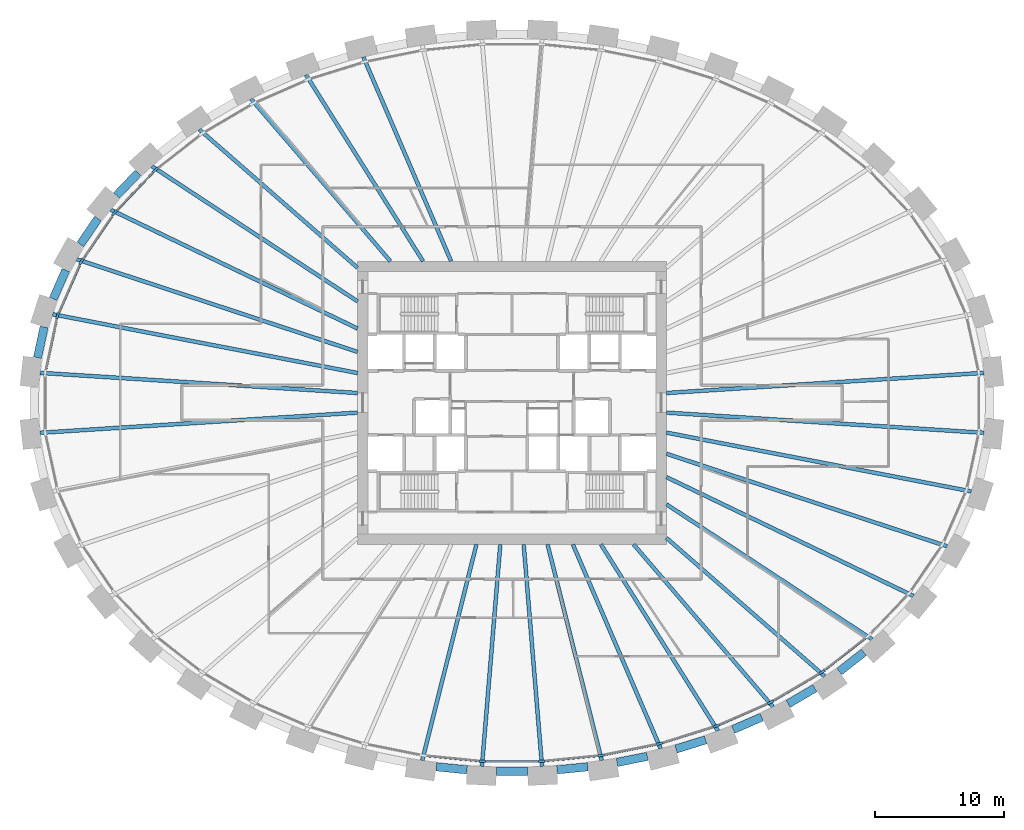
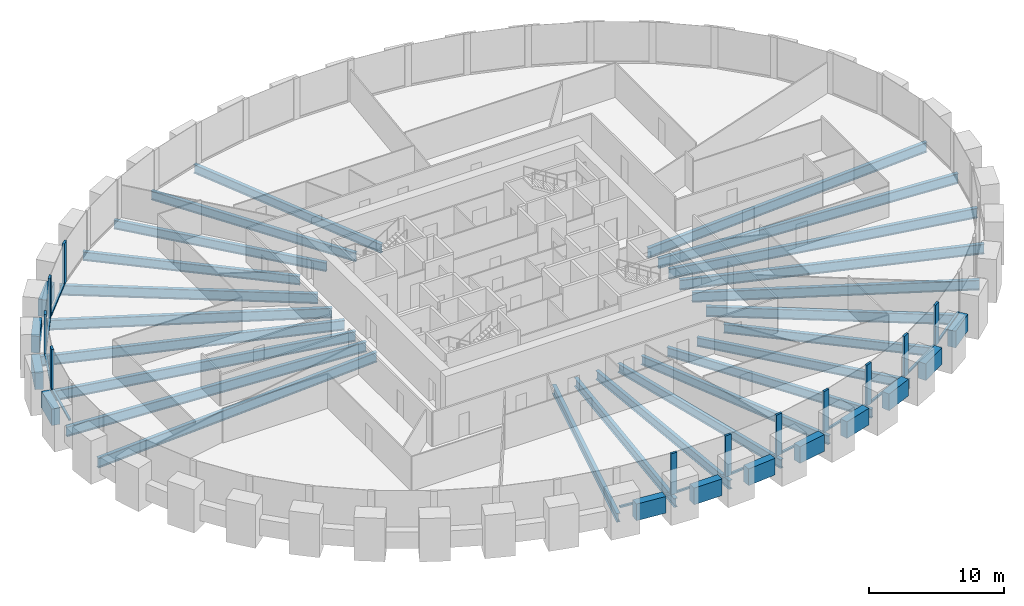
# One storey, part 2 of 10: 36 beams, 23 members, 1 element without a shape of its own.
"""IFC4 building model written with IfcOpenShell, lengths in metres."""

from ifc_helpers import new_model, si_unit, direction, frame, origin, origin_2d, place, context, subcontext, project, spatial, rectangle, i_section, extrude, source, transform, mapped, material, material_profile, profile_set, type_object, element, aggregate, save


model = new_model("IFC4")

# Units and contexts
model_context = context("Model", 3, precision=1e-05, world=origin(), true_north=direction((0.0, 1.0)))
body_context = subcontext(model_context, "Body", "Model", "MODEL_VIEW")
ifc_project = project(units=[si_unit("LENGTHUNIT", "METRE"), si_unit("AREAUNIT", "SQUARE_METRE"), si_unit("VOLUMEUNIT", "CUBIC_METRE"), si_unit("PLANEANGLEUNIT", "RADIAN"), si_unit("MASSUNIT", "GRAM", prefix="KILO")], contexts=[model_context])

# Site, building, storey
site_placement = place(None, origin())
site = spatial("IfcSite", under=ifc_project, at=site_placement, CompositionType="ELEMENT")
building_placement = place(site_placement, origin())
building = spatial("IfcBuilding", under=site, at=building_placement, Name="Embergate Tower", CompositionType="ELEMENT")
storey_placement = place(building_placement, frame((0.0, 0.0, 167.699951171875)))
storey = spatial("IfcBuildingStorey", under=building, at=storey_placement, Name="L37", CompositionType="ELEMENT", Elevation=167.699951171875)

# Beams
ifc_material_1 = material(Name="Concrete C70", Category="concrete")
ifc_material_profile_1 = material_profile(ifc_material_1, rectangle(XDim=0.64990234375, YDim=1.5, at=origin_2d()), Name="RC 650x1500")
ifc_profile_set_1 = profile_set([ifc_material_profile_1], Name="Concrete C70")
beam_type_1 = type_object("IfcBeamType", Name="Spandrel beam RC 650x1500 C70", PredefinedType="BEAM", material=ifc_profile_set_1)
shared_shape_1 = source(origin(), body_context, "Body", "SweptSolid", [
    extrude(rectangle(XDim=0.64990234375, YDim=1.5, at=origin_2d()), origin(), (0.0, 0.0, 1.0), 2.439697265625),
])
beam_1_placement = place(storey_placement, frame((-36.35693359375, 5.89306640625, 0.0), z_axis=(-0.210738503873, -0.977542471193, 0.0), x_axis=(0.977542471193, -0.210738503873, 0.0)))
element("IfcBeam", 1, at=beam_1_placement, inside=storey, type_object=beam_type_1, Name="SPN-L37-20", PredefinedType="BEAM", context=body_context, shape_type="MappedRepresentation", body=[
    mapped(shared_shape_1, transform((0.0, 0.0, 0.0))),
])
shared_shape_2 = source(origin(), body_context, "Body", "SweptSolid", [
    extrude(rectangle(XDim=0.64990234375, YDim=1.5, at=origin_2d()), origin(), (0.0, 0.0, 1.0), 2.436279296875),
])
beam_2_placement = place(storey_placement, frame((-34.6708984375, 10.31201171875, 0.0), z_axis=(-0.401838418441, -0.915710590452, 0.0), x_axis=(0.915710590452, -0.401838418441, 0.0)))
element("IfcBeam", 2, at=beam_2_placement, inside=storey, type_object=beam_type_1, Name="SPN-L37-19", PredefinedType="BEAM", context=body_context, shape_type="MappedRepresentation", body=[
    mapped(shared_shape_2, transform((0.0, 0.0, 0.0))),
])
shared_shape_3 = source(origin(), body_context, "Body", "SweptSolid", [
    extrude(rectangle(XDim=0.64990234375, YDim=1.5, at=origin_2d()), origin(), (0.0, 0.0, 1.0), 2.42724609375),
])
beam_3_placement = place(storey_placement, frame((-32.175048828125, 14.322021484375, 0.0), z_axis=(-0.562359541569, -0.826892826191, 0.0), x_axis=(0.826892826191, -0.562359541569, 0.0)))
element("IfcBeam", 3, at=beam_3_placement, inside=storey, type_object=beam_type_1, Name="SPN-L37-18", PredefinedType="BEAM", context=body_context, shape_type="MappedRepresentation", body=[
    mapped(shared_shape_3, transform((0.0, 0.0, 0.0))),
])
shared_shape_4 = source(origin(), body_context, "Body", "SweptSolid", [
    extrude(rectangle(XDim=0.64990234375, YDim=1.5, at=origin_2d()), origin(), (0.0, 0.0, 1.0), 2.421630859375),
])
beam_4_placement = place(storey_placement, frame((-29.05908203125, 17.864013671875, 0.0), z_axis=(-0.68996725843, -0.723840577955, 0.0), x_axis=(0.723840577955, -0.68996725843, 0.0)))
element("IfcBeam", 4, at=beam_4_placement, inside=storey, type_object=beam_type_1, Name="SPN-L37-17", PredefinedType="BEAM", context=body_context, shape_type="MappedRepresentation", body=[
    mapped(shared_shape_4, transform((0.0, 0.0, 0.0))),
])
shared_shape_5 = source(origin(), body_context, "Body", "SweptSolid", [
    extrude(rectangle(XDim=0.64990234375, YDim=1.5, at=origin_2d()), origin(), (0.0, 0.0, 1.0), 2.415283203125),
])
beam_5_placement = place(storey_placement, frame((25.43701171875, -20.87890625, 0.0), z_axis=(0.788366005977, 0.61520650242, 0.0), x_axis=(-0.61520650242, 0.788366005977, 0.0)))
element("IfcBeam", 5, at=beam_5_placement, inside=storey, type_object=beam_type_1, Name="SPN-L37-38", PredefinedType="BEAM", context=body_context, shape_type="MappedRepresentation", body=[
    mapped(shared_shape_5, transform((0.0, 0.0, 0.0))),
])
shared_shape_6 = source(origin(), body_context, "Body", "SweptSolid", [
    extrude(rectangle(XDim=0.64990234375, YDim=1.5, at=origin_2d()), origin(), (0.0, 0.0, 1.0), 2.41015625),
])
beam_6_placement = place(storey_placement, frame((21.45703125, -23.39306640625, 0.0), z_axis=(0.862176302717, 0.506608352707, 0.0), x_axis=(-0.506608352707, 0.862176302717, 0.0)))
element("IfcBeam", 6, at=beam_6_placement, inside=storey, type_object=beam_type_1, Name="SPN-L37-37", PredefinedType="BEAM", context=body_context, shape_type="MappedRepresentation", body=[
    mapped(shared_shape_6, transform((0.0, 0.0, 0.0))),
])
shared_shape_7 = source(origin(), body_context, "Body", "SweptSolid", [
    extrude(rectangle(XDim=0.64990234375, YDim=1.5, at=origin_2d()), origin(), (0.0, 0.0, 1.0), 2.405029296875),
])
beam_7_placement = place(storey_placement, frame((17.195068359375, -25.384033203125, 0.0), z_axis=(0.916318010886, 0.400451373983, 0.0), x_axis=(-0.400451373983, 0.916318010886, 0.0)))
element("IfcBeam", 7, at=beam_7_placement, inside=storey, type_object=beam_type_1, Name="SPN-L37-36", PredefinedType="BEAM", context=body_context, shape_type="MappedRepresentation", body=[
    mapped(shared_shape_7, transform((0.0, 0.0, 0.0))),
])
shared_shape_8 = source(origin(), body_context, "Body", "SweptSolid", [
    extrude(rectangle(XDim=0.64990234375, YDim=1.5, at=origin_2d()), origin(), (0.0, 0.0, 1.0), 2.40283203125),
])
beam_8_placement = place(storey_placement, frame((12.74609375, -26.903076171875, 0.0), z_axis=(0.954689462561, 0.297603813946, 0.0), x_axis=(-0.297603813946, 0.954689462561, 0.0)))
element("IfcBeam", 8, at=beam_8_placement, inside=storey, type_object=beam_type_1, Name="SPN-L37-35", PredefinedType="BEAM", context=body_context, shape_type="MappedRepresentation", body=[
    mapped(shared_shape_8, transform((0.0, 0.0, 0.0))),
])
shared_shape_9 = source(origin(), body_context, "Body", "SweptSolid", [
    extrude(rectangle(XDim=0.64990234375, YDim=1.5, at=origin_2d()), origin(), (0.0, 0.0, 1.0), 2.402099609375),
])
beam_9_placement = place(storey_placement, frame((8.162109375, -27.945068359375, 0.0), z_axis=(0.980408294351, 0.196976080702, 0.0), x_axis=(-0.196976080702, 0.980408294351, 0.0)))
element("IfcBeam", 9, at=beam_9_placement, inside=storey, type_object=beam_type_1, Name="SPN-L37-34", PredefinedType="BEAM", context=body_context, shape_type="MappedRepresentation", body=[
    mapped(shared_shape_9, transform((0.0, 0.0, 0.0))),
])
shared_shape_10 = source(origin(), body_context, "Body", "SweptSolid", [
    extrude(rectangle(XDim=0.64990234375, YDim=1.5, at=origin_2d()), origin(), (0.0, 0.0, 1.0), 2.4013671875),
])
for number, where, z_axis, x_axis, name in (
    (10, (-5.886962890625, -28.283935546875, 0.0), (0.995235491499, -0.097500340826, 0.0), (0.097500340826, 0.995235491499, 0.0), "SPN-L37-31"),
    (11, (3.4970703125, -28.51806640625, 0.0), (0.995235491499, 0.097500340826, 0.0), (-0.097500340826, 0.995235491499, 0.0), "SPN-L37-33"),
):
    element("IfcBeam", number, at=place(storey_placement, frame(where, z_axis=z_axis, x_axis=x_axis)), inside=storey, type_object=beam_type_1, Name=name, PredefinedType="BEAM", context=body_context, shape_type="MappedRepresentation", body=[
        mapped(shared_shape_10, transform((0.0, 0.0, 0.0))),
    ])
shared_shape_11 = source(origin(), body_context, "Body", "SweptSolid", [
    extrude(rectangle(XDim=0.64990234375, YDim=1.5, at=origin_2d()), origin(), (0.0, 0.0, 1.0), 2.39990234375),
])
beam_10_placement = place(storey_placement, frame((-1.199951171875, -28.631103515625, 0.0), z_axis=(1.0, 0.0, 0.0), x_axis=(0.0, 1.0, 0.0)))
element("IfcBeam", 12, at=beam_10_placement, inside=storey, type_object=beam_type_1, Name="SPN-L37-32", PredefinedType="BEAM", context=body_context, shape_type="MappedRepresentation", body=[
    mapped(shared_shape_11, transform((0.0, 0.0, 0.0))),
])
ifc_material_2 = material(Name="Steel Q355B", Category="steel")
ifc_material_profile_2 = material_profile(ifc_material_2, i_section(OverallWidth=0.300048828125, OverallDepth=0.89990234375, WebThickness=0.01611328125, FlangeThickness=0.028076171875, FilletRadius=0.028076171875, at=origin_2d()), Name="HN 900x300x16x28")
ifc_profile_set_2 = profile_set([ifc_material_profile_2], Name="Steel Q355 grade B")
beam_type_2 = type_object("IfcBeamType", Name="Radial girder HN 900x300x16x28", PredefinedType="BEAM", material=ifc_profile_set_2)
shared_shape_12 = source(origin(), body_context, "Body", "SweptSolid", [
    extrude(i_section(OverallWidth=0.300048828125, OverallDepth=0.89990234375, WebThickness=0.01611328125, FlangeThickness=0.028076171875, FilletRadius=0.028076171875, at=origin_2d()), origin(), (0.0, 0.0, 1.0), 24.71875),
])
for number, where, z_axis, x_axis, name in (
    (13, (36.6689453125, 2.330078125, -0.64990234375), (-0.997985760611, -0.063438329247, 0.0), (0.063438329247, -0.997985760611, 0.0), "GIR-L37-00"),
    (14, (-36.6689453125, 2.330078125, -0.64990234375), (0.997985760611, -0.063438329247, 0.0), (0.063438329247, 0.997985760611, 0.0), "GIR-L37-21"),
    (15, (-36.6689453125, -2.330078125, -0.64990234375), (0.997985760611, 0.063438329247, 0.0), (-0.063438329247, 0.997985760611, 0.0), "GIR-L37-22"),
    (16, (36.6689453125, -2.330078125, -0.64990234375), (-0.997985760611, 0.063438329247, 0.0), (-0.063438329247, -0.997985760611, 0.0), "GIR-L37-43"),
):
    element("IfcBeam", number, at=place(storey_placement, frame(where, z_axis=z_axis, x_axis=x_axis)), inside=storey, type_object=beam_type_2, Name=name, PredefinedType="BEAM", context=body_context, shape_type="MappedRepresentation", body=[
        mapped(shared_shape_12, transform((0.0, 0.0, 0.0))),
    ])
shared_shape_13 = source(origin(), body_context, "Body", "SweptSolid", [
    extrude(i_section(OverallWidth=0.300048828125, OverallDepth=0.89990234375, WebThickness=0.01611328125, FlangeThickness=0.028076171875, FilletRadius=0.028076171875, at=origin_2d()), origin(), (0.0, 0.0, 1.0), 24.12548828125),
])
for number, where, z_axis, x_axis, name in (
    (17, (-35.68896484375, 6.884033203125, -0.64990234375), (0.981902359672, -0.189387845628, 0.0), (0.189387845628, 0.981902359672, 0.0), "GIR-L37-20"),
    (18, (35.68896484375, -6.884033203125, -0.64990234375), (-0.981902359672, 0.189387845628, 0.0), (-0.189387845628, -0.981902359672, 0.0), "GIR-L37-42"),
):
    element("IfcBeam", number, at=place(storey_placement, frame(where, z_axis=z_axis, x_axis=x_axis)), inside=storey, type_object=beam_type_2, Name=name, PredefinedType="BEAM", context=body_context, shape_type="MappedRepresentation", body=[
        mapped(shared_shape_13, transform((0.0, 0.0, 0.0))),
    ])
shared_shape_14 = source(origin(), body_context, "Body", "SweptSolid", [
    extrude(i_section(OverallWidth=0.300048828125, OverallDepth=0.89990234375, WebThickness=0.01611328125, FlangeThickness=0.028076171875, FilletRadius=0.028076171875, at=origin_2d()), origin(), (0.0, 0.0, 1.0), 22.97265625),
])
for number, where, z_axis, x_axis, name in (
    (19, (-33.81689453125, 11.152099609375, -0.64990234375), (0.949687014879, -0.313200532838, 0.0), (0.313200532838, 0.949687014879, 0.0), "GIR-L37-19"),
    (20, (33.81689453125, -11.152099609375, -0.64990234375), (-0.949687014879, 0.313200532838, 0.0), (-0.313200532838, -0.949687014879, 0.0), "GIR-L37-41"),
):
    element("IfcBeam", number, at=place(storey_placement, frame(where, z_axis=z_axis, x_axis=x_axis)), inside=storey, type_object=beam_type_2, Name=name, PredefinedType="BEAM", context=body_context, shape_type="MappedRepresentation", body=[
        mapped(shared_shape_14, transform((0.0, 0.0, 0.0))),
    ])
shared_shape_15 = source(origin(), body_context, "Body", "SweptSolid", [
    extrude(i_section(OverallWidth=0.300048828125, OverallDepth=0.89990234375, WebThickness=0.01611328125, FlangeThickness=0.028076171875, FilletRadius=0.028076171875, at=origin_2d()), origin(), (0.0, 0.0, 1.0), 21.301025390625),
])
for number, where, z_axis, x_axis, name in (
    (21, (-31.195068359375, 15.008056640625, -0.64990234375), (0.901129390798, -0.433550252035, 0.0), (0.433550252035, 0.901129390798, 0.0), "GIR-L37-18"),
    (22, (31.195068359375, -15.008056640625, -0.64990234375), (-0.901129390798, 0.433550252035, 0.0), (-0.433550252035, -0.901129390798, 0.0), "GIR-L37-40"),
):
    element("IfcBeam", number, at=place(storey_placement, frame(where, z_axis=z_axis, x_axis=x_axis)), inside=storey, type_object=beam_type_2, Name=name, PredefinedType="BEAM", context=body_context, shape_type="MappedRepresentation", body=[
        mapped(shared_shape_15, transform((0.0, 0.0, 0.0))),
    ])
shared_shape_16 = source(origin(), body_context, "Body", "SweptSolid", [
    extrude(i_section(OverallWidth=0.300048828125, OverallDepth=0.89990234375, WebThickness=0.01611328125, FlangeThickness=0.028076171875, FilletRadius=0.028076171875, at=origin_2d()), origin(), (0.0, 0.0, 1.0), 19.1181640625),
])
for number, where, z_axis, x_axis, name in (
    (23, (-27.97802734375, 18.382080078125, -0.64990234375), (0.835748679781, -0.549112141775, 0.0), (0.549112141775, 0.835748679781, 0.0), "GIR-L37-17"),
    (24, (27.97802734375, -18.382080078125, -0.64990234375), (-0.835748679781, 0.549112141775, 0.0), (-0.549112141775, -0.835748679781, 0.0), "GIR-L37-39"),
):
    element("IfcBeam", number, at=place(storey_placement, frame(where, z_axis=z_axis, x_axis=x_axis)), inside=storey, type_object=beam_type_2, Name=name, PredefinedType="BEAM", context=body_context, shape_type="MappedRepresentation", body=[
        mapped(shared_shape_16, transform((0.0, 0.0, 0.0))),
    ])
ifc_material_profile_3 = material_profile(ifc_material_2, i_section(OverallWidth=0.300048828125, OverallDepth=0.800048828125, WebThickness=0.013916015625, FlangeThickness=0.02587890625, FilletRadius=0.028076171875, at=origin_2d()), Name="HN 800x300x14x26")
ifc_profile_set_3 = profile_set([ifc_material_profile_3], Name="Steel Q355 grade B")
beam_type_3 = type_object("IfcBeamType", Name="Radial girder HN 800x300x14x26", PredefinedType="BEAM", material=ifc_profile_set_3)
shared_shape_17 = source(origin(), body_context, "Body", "SweptSolid", [
    extrude(i_section(OverallWidth=0.300048828125, OverallDepth=0.800048828125, WebThickness=0.013916015625, FlangeThickness=0.02587890625, FilletRadius=0.028076171875, at=origin_2d()), origin(), (0.0, 0.0, 1.0), 16.341796875),
])
for number, where, z_axis, x_axis, name in (
    (25, (-24.301025390625, 21.251953125, -0.599853515625), (0.752738629267, -0.65831949387, 0.0), (0.65831949387, 0.752738629267, 0.0), "GIR-L37-16"),
    (26, (24.301025390625, -21.251953125, -0.599853515625), (-0.752738629267, 0.65831949387, 0.0), (-0.65831949387, -0.752738629267, 0.0), "GIR-L37-38"),
):
    element("IfcBeam", number, at=place(storey_placement, frame(where, z_axis=z_axis, x_axis=x_axis)), inside=storey, type_object=beam_type_3, Name=name, PredefinedType="BEAM", context=body_context, shape_type="MappedRepresentation", body=[
        mapped(shared_shape_17, transform((0.0, 0.0, 0.0))),
    ])
shared_shape_18 = source(origin(), body_context, "Body", "SweptSolid", [
    extrude(i_section(OverallWidth=0.300048828125, OverallDepth=0.800048828125, WebThickness=0.013916015625, FlangeThickness=0.02587890625, FilletRadius=0.028076171875, at=origin_2d()), origin(), (0.0, 0.0, 1.0), 16.62939453125),
])
for number, where, z_axis, x_axis, name in (
    (27, (-20.280029296875, 23.615966796875, -0.599853515625), (0.651494757219, -0.758653136364, 0.0), (0.758653136364, 0.651494757219, 0.0), "GIR-L37-15"),
    (28, (20.280029296875, -23.615966796875, -0.599853515625), (-0.651494757219, 0.758653136364, 0.0), (-0.758653136364, -0.651494757219, 0.0), "GIR-L37-37"),
):
    element("IfcBeam", number, at=place(storey_placement, frame(where, z_axis=z_axis, x_axis=x_axis)), inside=storey, type_object=beam_type_3, Name=name, PredefinedType="BEAM", context=body_context, shape_type="MappedRepresentation", body=[
        mapped(shared_shape_18, transform((0.0, 0.0, 0.0))),
    ])
shared_shape_19 = source(origin(), body_context, "Body", "SweptSolid", [
    extrude(i_section(OverallWidth=0.300048828125, OverallDepth=0.800048828125, WebThickness=0.013916015625, FlangeThickness=0.02587890625, FilletRadius=0.028076171875, at=origin_2d()), origin(), (0.0, 0.0, 1.0), 17.103271484375),
])
for number, where, z_axis, x_axis, name in (
    (29, (-16.0048828125, 25.48388671875, -0.599853515625), (0.531827416629, -0.846852761064, 0.0), (0.846852761064, 0.531827416629, 0.0), "GIR-L37-14"),
    (30, (16.0048828125, -25.48388671875, -0.599853515625), (-0.531827416629, 0.846852761064, 0.0), (-0.846852761064, -0.531827416629, 0.0), "GIR-L37-36"),
):
    element("IfcBeam", number, at=place(storey_placement, frame(where, z_axis=z_axis, x_axis=x_axis)), inside=storey, type_object=beam_type_3, Name=name, PredefinedType="BEAM", context=body_context, shape_type="MappedRepresentation", body=[
        mapped(shared_shape_19, transform((0.0, 0.0, 0.0))),
    ])
shared_shape_20 = source(origin(), body_context, "Body", "SweptSolid", [
    extrude(i_section(OverallWidth=0.300048828125, OverallDepth=0.800048828125, WebThickness=0.013916015625, FlangeThickness=0.02587890625, FilletRadius=0.028076171875, at=origin_2d()), origin(), (0.0, 0.0, 1.0), 17.2763671875),
])
for number, where, z_axis, x_axis, name in (
    (31, (-11.551025390625, 26.8720703125, -0.599853515625), (0.394930430289, -0.918711029232, 0.0), (0.918711029232, 0.394930430289, 0.0), "GIR-L37-13"),
    (32, (11.551025390625, -26.8720703125, -0.599853515625), (-0.394930430289, 0.918711029232, 0.0), (-0.918711029232, -0.394930430289, 0.0), "GIR-L37-35"),
):
    element("IfcBeam", number, at=place(storey_placement, frame(where, z_axis=z_axis, x_axis=x_axis)), inside=storey, type_object=beam_type_3, Name=name, PredefinedType="BEAM", context=body_context, shape_type="MappedRepresentation", body=[
        mapped(shared_shape_20, transform((0.0, 0.0, 0.0))),
    ])
shared_shape_21 = source(origin(), body_context, "Body", "SweptSolid", [
    extrude(i_section(OverallWidth=0.300048828125, OverallDepth=0.800048828125, WebThickness=0.013916015625, FlangeThickness=0.02587890625, FilletRadius=0.028076171875, at=origin_2d()), origin(), (0.0, 0.0, 1.0), 17.31103515625),
])
for number, where, z_axis, x_axis, name in (
    (33, (-6.97607421875, -27.7900390625, -0.599853515625), (0.243491204419, 0.969903105145, 0.0), (-0.969903105145, 0.243491204419, 0.0), "GIR-L37-31"),
    (34, (6.97607421875, -27.7900390625, -0.599853515625), (-0.243491204419, 0.969903105145, 0.0), (-0.969903105145, -0.243491204419, 0.0), "GIR-L37-34"),
):
    element("IfcBeam", number, at=place(storey_placement, frame(where, z_axis=z_axis, x_axis=x_axis)), inside=storey, type_object=beam_type_3, Name=name, PredefinedType="BEAM", context=body_context, shape_type="MappedRepresentation", body=[
        mapped(shared_shape_21, transform((0.0, 0.0, 0.0))),
    ])
shared_shape_22 = source(origin(), body_context, "Body", "SweptSolid", [
    extrude(i_section(OverallWidth=0.300048828125, OverallDepth=0.800048828125, WebThickness=0.013916015625, FlangeThickness=0.02587890625, FilletRadius=0.028076171875, at=origin_2d()), origin(), (0.0, 0.0, 1.0), 17.304931640625),
])
for number, where, z_axis, x_axis, name in (
    (35, (-2.3330078125, -28.24609375, -0.599853515625), (0.082349584625, 0.996603504866, 0.0), (-0.996603504866, 0.082349584625, 0.0), "GIR-L37-32"),
    (36, (2.3330078125, -28.24609375, -0.599853515625), (-0.082349584625, 0.996603504866, 0.0), (-0.996603504866, -0.082349584625, 0.0), "GIR-L37-33"),
):
    element("IfcBeam", number, at=place(storey_placement, frame(where, z_axis=z_axis, x_axis=x_axis)), inside=storey, type_object=beam_type_3, Name=name, PredefinedType="BEAM", context=body_context, shape_type="MappedRepresentation", body=[
        mapped(shared_shape_22, transform((0.0, 0.0, 0.0))),
    ])

# Curtain wall, members
ifc_material_3 = material(Name="Aluminium and glass", Category="aluminium")
curtain_wall_type = type_object("IfcCurtainWallType", Name="Recessed office glazing", PredefinedType="NOTDEFINED", material=ifc_material_3)
curtain_wall_placement = place(storey_placement, origin())
curtain_wall = element("IfcCurtainWall", 37, at=curtain_wall_placement, inside=storey, type_object=curtain_wall_type, Name="Recessed office glazing ring", ObjectType="RECESSED OFFICE GLAZING", PredefinedType="USERDEFINED")
ifc_material_4 = material(Name="Aluminium, thermally broken", Category="aluminium")
ifc_material_profile_4 = material_profile(ifc_material_4, rectangle(XDim=0.179931640625, YDim=0.52001953125, at=origin_2d()), Name="AL 520x180")
ifc_profile_set_4 = profile_set([ifc_material_profile_4], Name="Aluminium, thermally broken")
member_type_1 = type_object("IfcMemberType", Name="Office mullion", PredefinedType="MULLION", material=ifc_profile_set_4)
shared_shape_23 = source(origin(), body_context, "Body", "SweptSolid", [
    extrude(rectangle(XDim=0.179931640625, YDim=0.52001953125, at=origin_2d()), origin(), (0.0, 0.0, 1.0), 3.699951171875),
])
member_1_placement = place(storey_placement, frame((-27.716796875, 18.092041015625, 0.0), z_axis=(0.0, 0.0, 1.0), x_axis=(0.671226533956, -0.741252278319, 0.0)))
member_1 = element("IfcMember", 38, at=member_1_placement, type_object=member_type_1, Name="CW mullion 18", PredefinedType="MULLION", context=body_context, shape_type="MappedRepresentation", body=[
    mapped(shared_shape_23, transform((0.0, 0.0, 0.0))),
])
member_2_placement = place(storey_placement, frame((-30.89306640625, 14.76123046875, 0.0), z_axis=(0.0, 0.0, 1.0), x_axis=(0.777872564355, -0.628422050555, 0.0)))
member_2 = element("IfcMember", 39, at=member_2_placement, type_object=member_type_1, Name="CW mullion 19", PredefinedType="MULLION", context=body_context, shape_type="MappedRepresentation", body=[
    mapped(shared_shape_23, transform((0.0, 0.0, 0.0))),
])
member_3_placement = place(storey_placement, frame((-33.4765625, 10.96240234375, 0.0), z_axis=(0.0, 0.0, 1.0), x_axis=(0.875001895832, -0.484119491748, 0.0)))
member_3 = element("IfcMember", 40, at=member_3_placement, type_object=member_type_1, Name="CW mullion 20", PredefinedType="MULLION", context=body_context, shape_type="MappedRepresentation", body=[
    mapped(shared_shape_23, transform((0.0, 0.0, 0.0))),
])
member_4_placement = place(storey_placement, frame((-35.318115234375, 6.763427734375, 0.0), z_axis=(0.0, 0.0, 1.0), x_axis=(0.951497797992, -0.307655554826, 0.0)))
member_4 = element("IfcMember", 41, at=member_4_placement, type_object=member_type_1, Name="CW mullion 21", PredefinedType="MULLION", context=body_context, shape_type="MappedRepresentation", body=[
    mapped(shared_shape_23, transform((0.0, 0.0, 0.0))),
])
member_5_placement = place(storey_placement, frame((-2.31396484375, -27.8564453125, 0.0), z_axis=(0.0, 0.0, 1.0), x_axis=(0.048971796621, 0.998800161762, 0.0)))
member_5 = element("IfcMember", 42, at=member_5_placement, type_object=member_type_1, Name="CW mullion 33", PredefinedType="MULLION", context=body_context, shape_type="MappedRepresentation", body=[
    mapped(shared_shape_23, transform((0.0, 0.0, 0.0))),
])
member_6_placement = place(storey_placement, frame((2.31396484375, -27.8564453125, 0.0), z_axis=(0.0, 0.0, 1.0), x_axis=(-0.048971796621, 0.998800161762, 0.0)))
member_6 = element("IfcMember", 43, at=member_6_placement, type_object=member_type_1, Name="CW mullion 34", PredefinedType="MULLION", context=body_context, shape_type="MappedRepresentation", body=[
    mapped(shared_shape_23, transform((0.0, 0.0, 0.0))),
])
member_7_placement = place(storey_placement, frame((6.919189453125, -27.40380859375, 0.0), z_axis=(0.0, 0.0, 1.0), x_axis=(-0.147412382818, 0.989075118174, 0.0)))
member_7 = element("IfcMember", 44, at=member_7_placement, type_object=member_type_1, Name="CW mullion 35", PredefinedType="MULLION", context=body_context, shape_type="MappedRepresentation", body=[
    mapped(shared_shape_23, transform((0.0, 0.0, 0.0))),
])
member_8_placement = place(storey_placement, frame((11.454833984375, -26.494140625, 0.0), z_axis=(0.0, 0.0, 1.0), x_axis=(-0.24731188137, 0.968935928394, 0.0)))
member_8 = element("IfcMember", 45, at=member_8_placement, type_object=member_type_1, Name="CW mullion 36", PredefinedType="MULLION", context=body_context, shape_type="MappedRepresentation", body=[
    mapped(shared_shape_23, transform((0.0, 0.0, 0.0))),
])
member_9_placement = place(storey_placement, frame((15.86962890625, -25.119384765625, 0.0), z_axis=(0.0, 0.0, 1.0), x_axis=(-0.349502682851, 0.936935363128, 0.0)))
member_9 = element("IfcMember", 46, at=member_9_placement, type_object=member_type_1, Name="CW mullion 37", PredefinedType="MULLION", context=body_context, shape_type="MappedRepresentation", body=[
    mapped(shared_shape_23, transform((0.0, 0.0, 0.0))),
])
member_10_placement = place(storey_placement, frame((20.103271484375, -23.26806640625, 0.0), z_axis=(0.0, 0.0, 1.0), x_axis=(-0.454509825889, 0.890741723605, 0.0)))
member_10 = element("IfcMember", 47, at=member_10_placement, type_object=member_type_1, Name="CW mullion 38", PredefinedType="MULLION", context=body_context, shape_type="MappedRepresentation", body=[
    mapped(shared_shape_23, transform((0.0, 0.0, 0.0))),
])
member_11_placement = place(storey_placement, frame((24.08251953125, -20.9287109375, 0.0), z_axis=(0.0, 0.0, 1.0), x_axis=(-0.562216175174, 0.826990309721, 0.0)))
member_11 = element("IfcMember", 48, at=member_11_placement, type_object=member_type_1, Name="CW mullion 39", PredefinedType="MULLION", context=body_context, shape_type="MappedRepresentation", body=[
    mapped(shared_shape_23, transform((0.0, 0.0, 0.0))),
])
ifc_material_profile_5 = material_profile(ifc_material_4, rectangle(XDim=0.179931640625, YDim=0.14990234375, at=origin_2d()), Name="AL 150x180")
ifc_profile_set_5 = profile_set([ifc_material_profile_5], Name="Aluminium, thermally broken")
member_type_2 = type_object("IfcMemberType", Name="Office sill transom", PredefinedType="USERDEFINED", material=ifc_profile_set_5)
shared_shape_24 = source(origin(), body_context, "Body", "SweptSolid", [
    extrude(rectangle(XDim=0.179931640625, YDim=0.14990234375, at=origin_2d()), origin(), (0.0, 0.0, 1.0), 4.05810546875),
])
member_12_placement = place(storey_placement, frame((-35.372802734375, 6.50927734375, 0.074951171875), z_axis=(-0.210441087969, -0.977606540738, 0.0), x_axis=(0.977606540738, -0.210441087969, 0.0)))
member_12 = element("IfcMember", 49, at=member_12_placement, type_object=member_type_2, Name="CW transom 21.1", ObjectType="TRANSOM", PredefinedType="USERDEFINED", context=body_context, shape_type="MappedRepresentation", body=[
    mapped(shared_shape_24, transform((0.0, 0.0, 0.0))),
])
shared_shape_25 = source(origin(), body_context, "Body", "SweptSolid", [
    extrude(rectangle(XDim=0.179931640625, YDim=0.14990234375, at=origin_2d()), origin(), (0.0, 0.0, 1.0), 4.06494140625),
])
member_13_placement = place(storey_placement, frame((-33.580810546875, 10.724365234375, 0.074951171875), z_axis=(-0.401675633899, -0.91578200743, 0.0), x_axis=(0.91578200743, -0.401675633899, 0.0)))
member_13 = element("IfcMember", 50, at=member_13_placement, type_object=member_type_2, Name="CW transom 20.1", ObjectType="TRANSOM", PredefinedType="USERDEFINED", context=body_context, shape_type="MappedRepresentation", body=[
    mapped(shared_shape_25, transform((0.0, 0.0, 0.0))),
])
shared_shape_26 = source(origin(), body_context, "Body", "SweptSolid", [
    extrude(rectangle(XDim=0.179931640625, YDim=0.14990234375, at=origin_2d()), origin(), (0.0, 0.0, 1.0), 4.073974609375),
])
member_14_placement = place(storey_placement, frame((-31.039306640625, 14.54638671875, 0.074951171875), z_axis=(-0.562337885641, -0.826907553704, 0.0), x_axis=(0.826907553704, -0.562337885641, 0.0)))
member_14 = element("IfcMember", 51, at=member_14_placement, type_object=member_type_2, Name="CW transom 19.1", ObjectType="TRANSOM", PredefinedType="USERDEFINED", context=body_context, shape_type="MappedRepresentation", body=[
    mapped(shared_shape_26, transform((0.0, 0.0, 0.0))),
])
shared_shape_27 = source(origin(), body_context, "Body", "SweptSolid", [
    extrude(rectangle(XDim=0.179931640625, YDim=0.14990234375, at=origin_2d()), origin(), (0.0, 0.0, 1.0), 4.082763671875),
])
member_15_placement = place(storey_placement, frame((-27.89599609375, 17.904052734375, 0.074951171875), z_axis=(-0.690134333582, -0.723681284552, 0.0), x_axis=(0.723681284552, -0.690134333582, 0.0)))
member_15 = element("IfcMember", 52, at=member_15_placement, type_object=member_type_2, Name="CW transom 18.1", ObjectType="TRANSOM", PredefinedType="USERDEFINED", context=body_context, shape_type="MappedRepresentation", body=[
    mapped(shared_shape_27, transform((0.0, 0.0, 0.0))),
])
shared_shape_28 = source(origin(), body_context, "Body", "SweptSolid", [
    extrude(rectangle(XDim=0.179931640625, YDim=0.14990234375, at=origin_2d()), origin(), (0.0, 0.0, 1.0), 4.090087890625),
])
member_16_placement = place(storey_placement, frame((24.287353515625, -20.7685546875, 0.074951171875), z_axis=(0.788341910095, 0.615237379219, 0.0), x_axis=(-0.615237379219, 0.788341910095, 0.0)))
member_16 = element("IfcMember", 53, at=member_16_placement, type_object=member_type_2, Name="CW transom 39.1", ObjectType="TRANSOM", PredefinedType="USERDEFINED", context=body_context, shape_type="MappedRepresentation", body=[
    mapped(shared_shape_28, transform((0.0, 0.0, 0.0))),
])
shared_shape_29 = source(origin(), body_context, "Body", "SweptSolid", [
    extrude(rectangle(XDim=0.179931640625, YDim=0.14990234375, at=origin_2d()), origin(), (0.0, 0.0, 1.0), 4.095947265625),
])
member_17_placement = place(storey_placement, frame((20.327392578125, -23.13623046875, 0.074951171875), z_axis=(0.86205523764, 0.506814332134, 0.0), x_axis=(-0.506814332134, 0.86205523764, 0.0)))
member_17 = element("IfcMember", 54, at=member_17_placement, type_object=member_type_2, Name="CW transom 38.1", ObjectType="TRANSOM", PredefinedType="USERDEFINED", context=body_context, shape_type="MappedRepresentation", body=[
    mapped(shared_shape_29, transform((0.0, 0.0, 0.0))),
])
shared_shape_30 = source(origin(), body_context, "Body", "SweptSolid", [
    extrude(rectangle(XDim=0.179931640625, YDim=0.14990234375, at=origin_2d()), origin(), (0.0, 0.0, 1.0), 4.1005859375),
])
member_18_placement = place(storey_placement, frame((16.10791015625, -25.01513671875, 0.074951171875), z_axis=(0.916237937351, 0.400634549382, 0.0), x_axis=(-0.400634549382, 0.916237937351, 0.0)))
member_18 = element("IfcMember", 55, at=member_18_placement, type_object=member_type_2, Name="CW transom 37.1", ObjectType="TRANSOM", PredefinedType="USERDEFINED", context=body_context, shape_type="MappedRepresentation", body=[
    mapped(shared_shape_30, transform((0.0, 0.0, 0.0))),
])
shared_shape_31 = source(origin(), body_context, "Body", "SweptSolid", [
    extrude(rectangle(XDim=0.179931640625, YDim=0.14990234375, at=origin_2d()), origin(), (0.0, 0.0, 1.0), 4.103759765625),
])
member_19_placement = place(storey_placement, frame((11.703125, -26.416748046875, 0.074951171875), z_axis=(0.954772738111, 0.297336540911, 0.0), x_axis=(-0.297336540911, 0.954772738111, 0.0)))
member_19 = element("IfcMember", 56, at=member_19_placement, type_object=member_type_2, Name="CW transom 36.1", ObjectType="TRANSOM", PredefinedType="USERDEFINED", context=body_context, shape_type="MappedRepresentation", body=[
    mapped(shared_shape_31, transform((0.0, 0.0, 0.0))),
])
shared_shape_32 = source(origin(), body_context, "Body", "SweptSolid", [
    extrude(rectangle(XDim=0.179931640625, YDim=0.14990234375, at=origin_2d()), origin(), (0.0, 0.0, 1.0), 4.10595703125),
])
member_20_placement = place(storey_placement, frame((7.174072265625, -27.352783203125, 0.074951171875), z_axis=(0.980477631016, 0.196630656505, 0.0), x_axis=(-0.196630656505, 0.980477631016, 0.0)))
member_20 = element("IfcMember", 57, at=member_20_placement, type_object=member_type_2, Name="CW transom 35.1", ObjectType="TRANSOM", PredefinedType="USERDEFINED", context=body_context, shape_type="MappedRepresentation", body=[
    mapped(shared_shape_32, transform((0.0, 0.0, 0.0))),
])
shared_shape_33 = source(origin(), body_context, "Body", "SweptSolid", [
    extrude(rectangle(XDim=0.179931640625, YDim=0.14990234375, at=origin_2d()), origin(), (0.0, 0.0, 1.0), 4.107666015625),
])
member_21_placement = place(storey_placement, frame((-6.660400390625, -27.42919921875, 0.074951171875), z_axis=(0.995202914721, -0.097832297995, 0.0), x_axis=(0.097832297995, 0.995202914721, 0.0)))
member_21 = element("IfcMember", 58, at=member_21_placement, type_object=member_type_2, Name="CW transom 32.1", ObjectType="TRANSOM", PredefinedType="USERDEFINED", context=body_context, shape_type="MappedRepresentation", body=[
    mapped(shared_shape_33, transform((0.0, 0.0, 0.0))),
])
member_22_placement = place(storey_placement, frame((2.572509765625, -27.8310546875, 0.074951171875), z_axis=(0.995202914721, 0.097832297995, 0.0), x_axis=(-0.097832297995, 0.995202914721, 0.0)))
member_22 = element("IfcMember", 59, at=member_22_placement, type_object=member_type_2, Name="CW transom 34.1", ObjectType="TRANSOM", PredefinedType="USERDEFINED", context=body_context, shape_type="MappedRepresentation", body=[
    mapped(shared_shape_33, transform((0.0, 0.0, 0.0))),
])
shared_shape_34 = source(origin(), body_context, "Body", "SweptSolid", [
    extrude(rectangle(XDim=0.179931640625, YDim=0.14990234375, at=origin_2d()), origin(), (0.0, 0.0, 1.0), 4.10791015625),
])
member_23_placement = place(storey_placement, frame((-2.053955078125, -27.8564453125, 0.074951171875), z_axis=(1.0, 0.0, 0.0), x_axis=(0.0, 1.0, 0.0)))
member_23 = element("IfcMember", 60, at=member_23_placement, type_object=member_type_2, Name="CW transom 33.1", ObjectType="TRANSOM", PredefinedType="USERDEFINED", context=body_context, shape_type="MappedRepresentation", body=[
    mapped(shared_shape_34, transform((0.0, 0.0, 0.0))),
])
aggregate(curtain_wall, [member_1, member_2, member_3, member_4, member_5, member_6, member_7, member_8, member_9, member_10, member_11, member_15, member_14, member_13, member_12, member_21, member_23, member_22, member_20, member_19, member_18, member_17, member_16])

save(model, "model.ifc")
